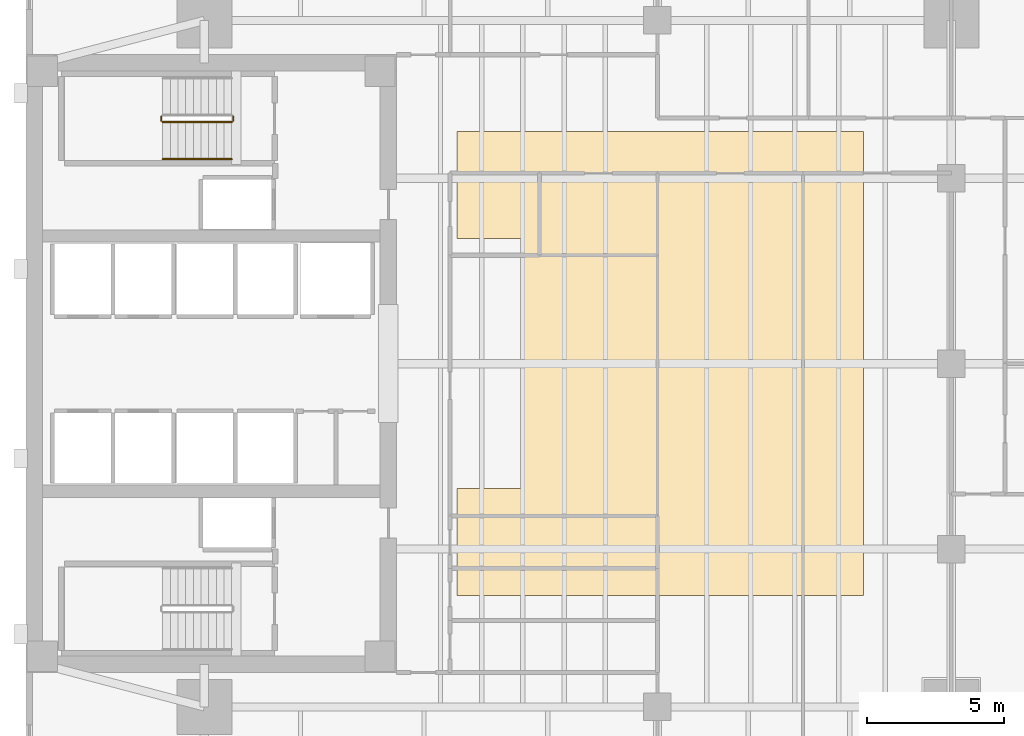
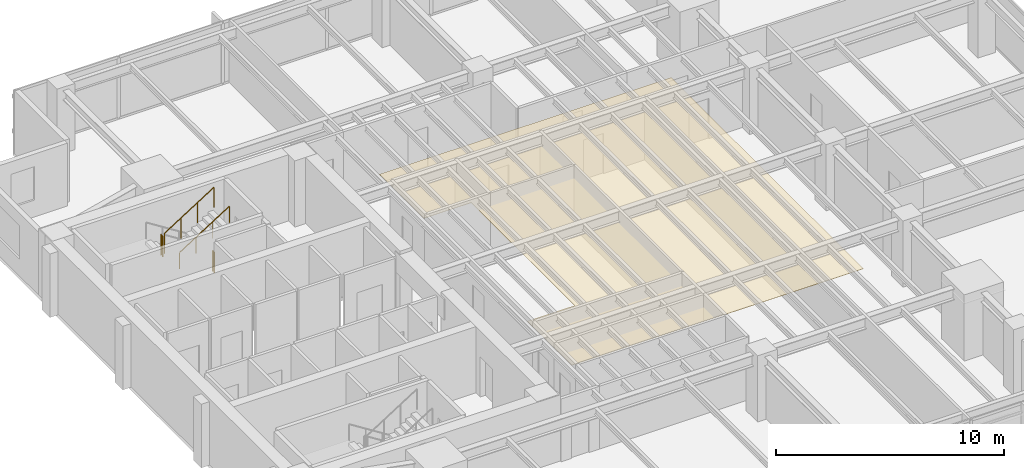
# One storey, part 13 of 14: 4 railings, 1 covering.
"""IFC4 building model written with IfcOpenShell, lengths in metres."""

from ifc_helpers import new_model, si_unit, direction, frame, origin, origin_2d, place, context, subcontext, project, spatial, polyline, circle, outline, extrude, material, layer, layer_set, type_object, element, save


model = new_model("IFC4")

# Units and contexts
model_context = context("Model", 3, precision=1e-05, world=origin(), true_north=direction((0.0, 1.0)))
body_context = subcontext(model_context, "Body", "Model", "MODEL_VIEW")
ifc_project = project(units=[si_unit("LENGTHUNIT", "METRE"), si_unit("AREAUNIT", "SQUARE_METRE"), si_unit("VOLUMEUNIT", "CUBIC_METRE"), si_unit("PLANEANGLEUNIT", "RADIAN"), si_unit("MASSUNIT", "GRAM", prefix="KILO")], contexts=[model_context])

# Site, building, storey
site_placement = place(None, origin())
site = spatial("IfcSite", under=ifc_project, at=site_placement, CompositionType="ELEMENT")
building_placement = place(site_placement, origin())
building = spatial("IfcBuilding", under=site, at=building_placement, Name="Kinhvarn Gate Tower", CompositionType="ELEMENT")
storey_placement = place(building_placement, frame((0.0, 0.0, 116.449951171875)))
storey = spatial("IfcBuildingStorey", under=building, at=storey_placement, Name="L30", CompositionType="ELEMENT", Elevation=116.449951171875)

# Covering
ifc_material_1 = material(Name="Mineral-fibre acoustic ceiling tile")
ifc_layer = layer(ifc_material_1, 0.02001953125)
ifc_layer_set = layer_set([ifc_layer], Name="Mineral-fibre acoustic ceiling tile")
covering_type = type_object("IfcCoveringType", Name="COV-CEIL-20", PredefinedType="CEILING", material=ifc_layer_set)
covering_placement = place(storey_placement, frame((0.0, 0.0, 2.650146484375)))
element("IfcCovering", 1, at=covering_placement, inside=storey, type_object=covering_type, Name="Suspended Acoustic Ceiling Tile (L30-1)", PredefinedType="CEILING", context=body_context, shape_type="SweptSolid", body=[
    extrude(outline(polyline([(35.0, 33.699951171875), (35.0, 16.800048828125), (20.199951171875, 16.800048828125), (20.199951171875, 20.699951171875), (22.60009765625, 20.699951171875), (22.60009765625, 29.800048828125), (20.199951171875, 29.800048828125), (20.199951171875, 33.699951171875), (35.0, 33.699951171875)])), origin(), (0.0, 0.0, 1.0), 0.02001953125),
])

# Railings
ifc_material_2 = material(Name="Steel S355", Category="steel")
railing_type_1 = type_object("IfcRailingType", Name="RL-ST-GRD", PredefinedType="BALUSTRADE", material=ifc_material_2)
railing_1_placement = place(storey_placement, frame((9.429931640625, 34.25, 1.775146484375)))
element("IfcRailing", 2, at=railing_1_placement, inside=storey, type_object=railing_type_1, Name="L30 ST2 stair guard 2", PredefinedType="BALUSTRADE", context=body_context, shape_type="SweptSolid", body=[
    extrude(circle(Radius=0.02392578125, at=origin_2d()), frame((0.0, 0.0, 1.076171875), z_axis=(0.0, -1.0, 0.0), x_axis=(1.0, 0.0, 0.0)), (0.0, 0.0, 1.0), 0.14990234375),
    extrude(circle(Radius=0.02099609375, at=origin_2d()), origin(), (0.0, 0.0, 1.0), 1.052001953125),
    extrude(circle(Radius=0.02099609375, at=origin_2d()), frame((0.0, -0.14990234375, 0.0)), (0.0, 0.0, 1.0), 1.052001953125),
])
railing_2_placement = place(storey_placement, frame((9.47998046875, 34.050048828125, 1.95263671875)))
element("IfcRailing", 3, at=railing_2_placement, inside=storey, type_object=railing_type_1, Name="L30 ST2 stair guard 3", PredefinedType="BALUSTRADE", context=body_context, shape_type="SweptSolid", body=[
    extrude(circle(Radius=0.02392578125, at=origin_2d()), frame((0.0, 0.0, 1.076171875), z_axis=(0.84460694969, 0.0, 0.535386869969), x_axis=(0.0, 1.0, 0.0)), (0.0, 0.0, 1.0), 2.983642578125),
    extrude(circle(Radius=0.02099609375, at=origin_2d()), origin(), (0.0, 0.0, 1.0), 1.052001953125),
    extrude(circle(Radius=0.02099609375, at=origin_2d()), frame((0.840087890625, 0.0, 0.532470703125)), (0.0, 0.0, 1.0), 1.052001953125),
    extrude(circle(Radius=0.02099609375, at=origin_2d()), frame((1.679931640625, 0.0, 1.06494140625)), (0.0, 0.0, 1.0), 1.052001953125),
    extrude(circle(Radius=0.02099609375, at=origin_2d()), frame((2.52001953125, 0.0, 1.597412109375)), (0.0, 0.0, 1.0), 1.052001953125),
])
railing_3_placement = place(storey_placement, frame((12.050048828125, 34.25, 0.0)))
element("IfcRailing", 4, at=railing_3_placement, inside=storey, type_object=railing_type_1, Name="L30 ST2 stair guard 4", PredefinedType="BALUSTRADE", context=body_context, shape_type="SweptSolid", body=[
    extrude(circle(Radius=0.02392578125, at=origin_2d()), frame((0.0, 0.0, 1.076171875), z_axis=(0.0, -1.0, 0.0), x_axis=(1.0, 0.0, 0.0)), (0.0, 0.0, 1.0), 0.14990234375),
    extrude(circle(Radius=0.02099609375, at=origin_2d()), origin(), (0.0, 0.0, 1.0), 1.052001953125),
    extrude(circle(Radius=0.02099609375, at=origin_2d()), frame((0.0, -0.14990234375, 0.0)), (0.0, 0.0, 1.0), 1.052001953125),
])
railing_type_2 = type_object("IfcRailingType", Name="RL-ST-HND", PredefinedType="HANDRAIL", material=ifc_material_2)
railing_4_placement = place(storey_placement, frame((9.47998046875, 32.699951171875, 1.95263671875)))
element("IfcRailing", 5, at=railing_4_placement, inside=storey, type_object=railing_type_2, Name="L30 ST2 stair handrail 2", PredefinedType="HANDRAIL", context=body_context, shape_type="SweptSolid", body=[
    extrude(circle(Radius=0.02392578125, at=origin_2d()), frame((0.0, 0.0, 0.8759765625), z_axis=(0.84460694969, 0.0, 0.535386869969), x_axis=(0.0, 1.0, 0.0)), (0.0, 0.0, 1.0), 2.983642578125),
    extrude(circle(Radius=0.02099609375, at=origin_2d()), origin(), (0.0, 0.0, 1.0), 0.851806640625),
    extrude(circle(Radius=0.02099609375, at=origin_2d()), frame((0.840087890625, 0.0, 0.532470703125)), (0.0, 0.0, 1.0), 0.851806640625),
    extrude(circle(Radius=0.02099609375, at=origin_2d()), frame((1.679931640625, 0.0, 1.06494140625)), (0.0, 0.0, 1.0), 0.851806640625),
    extrude(circle(Radius=0.02099609375, at=origin_2d()), frame((2.52001953125, 0.0, 1.597412109375)), (0.0, 0.0, 1.0), 0.851806640625),
])

save(model, "model.ifc")
